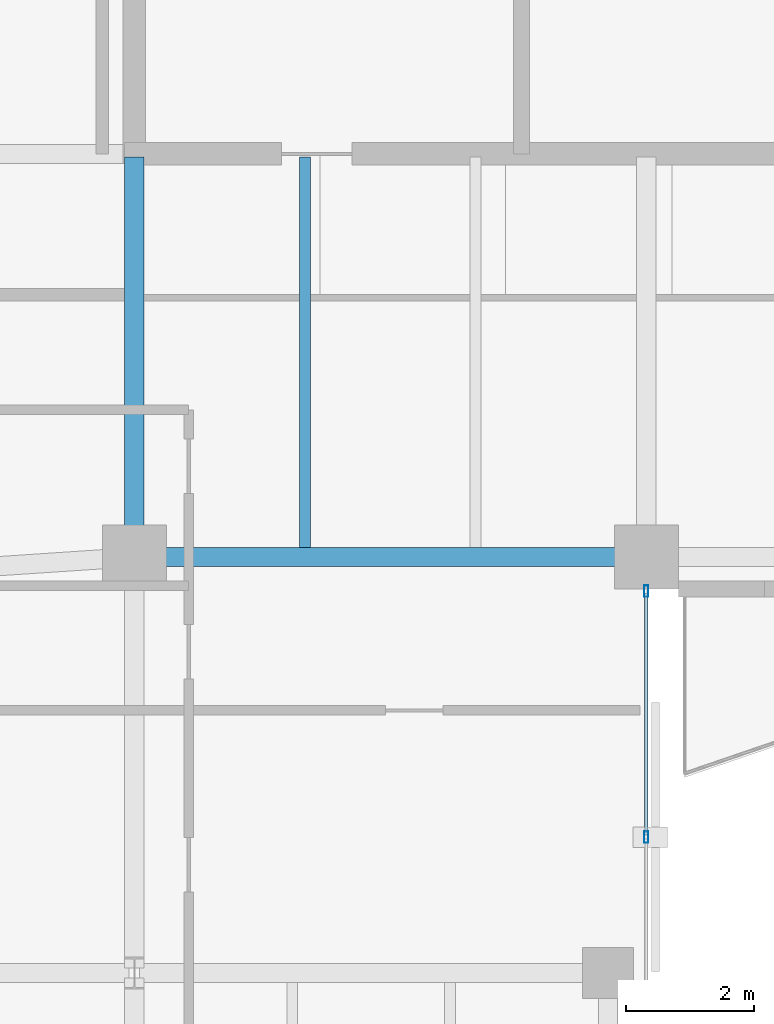
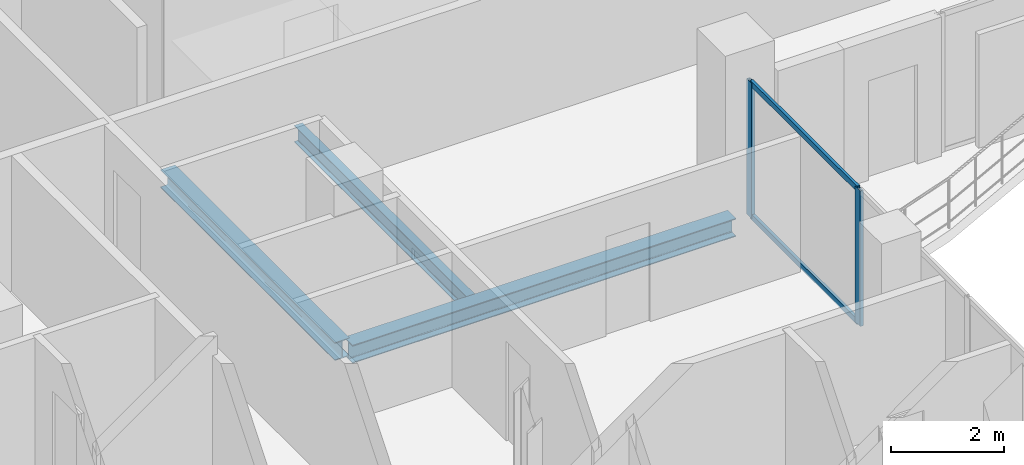
# One storey, part 10 of 23: 4 members, 3 beams, 1 element without a shape of its own.
"""IFC4 building model written with IfcOpenShell, lengths in metres."""

from ifc_helpers import new_model, si_unit, direction, frame, origin, origin_2d, place, context, subcontext, project, spatial, hollow_rectangle, i_section, extrude, material, layer, layer_set, material_profile, profile_set, type_object, element, aggregate, save


model = new_model("IFC4")

# Units and contexts
model_context = context("Model", 3, precision=1e-05, world=origin(), true_north=direction((0.0, 1.0)))
body_context = subcontext(model_context, "Body", "Model", "MODEL_VIEW")
ifc_project = project(units=[si_unit("LENGTHUNIT", "METRE"), si_unit("AREAUNIT", "SQUARE_METRE"), si_unit("VOLUMEUNIT", "CUBIC_METRE"), si_unit("PLANEANGLEUNIT", "RADIAN"), si_unit("MASSUNIT", "GRAM", prefix="KILO")], contexts=[model_context])

# Site, building, storey
site_placement = place(None, origin())
site = spatial("IfcSite", under=ifc_project, at=site_placement, CompositionType="ELEMENT")
building_placement = place(site_placement, origin())
building = spatial("IfcBuilding", under=site, at=building_placement, Name="Catumbela Crestline Tower", CompositionType="ELEMENT")
storey_placement = place(building_placement, frame((0.0, 0.0, 165.0)))
storey = spatial("IfcBuildingStorey", under=building, at=storey_placement, Name="L42", CompositionType="ELEMENT", Elevation=165.0)

# Beams
ifc_material_1 = material(Name="Structural steel S355J2", Category="steel")
ifc_material_profile_1 = material_profile(ifc_material_1, i_section(OverallWidth=0.3, OverallDepth=0.39, WebThickness=0.011, FlangeThickness=0.019, FilletRadius=0.027, at=origin_2d()), Name="HEA 400")
ifc_profile_set_1 = profile_set([ifc_material_profile_1], Name="Structural steel S355J2")
beam_type_1 = type_object("IfcBeamType", Name="BG-HEA400", PredefinedType="BEAM", material=ifc_profile_set_1)
beam_1_placement = place(storey_placement, frame((16.08, 24.5, -0.455), z_axis=(1.0, 0.0, 0.0), x_axis=(0.0, 1.0, 0.0)))
element("IfcBeam", 1, at=beam_1_placement, inside=storey, type_object=beam_type_1, Name="L42 Beam BM-L42-S03", PredefinedType="BEAM", context=body_context, shape_type="SweptSolid", body=[
    extrude(i_section(OverallWidth=0.3, OverallDepth=0.39, WebThickness=0.011, FlangeThickness=0.019, FilletRadius=0.027, at=origin_2d()), origin(), (0.0, 0.0, 1.0), 7.84),
])
beam_2_placement = place(storey_placement, frame((16.0, 24.58, -0.455), z_axis=(0.0, 1.0, 0.0), x_axis=(-1.0, 0.0, 0.0)))
element("IfcBeam", 2, at=beam_2_placement, inside=storey, type_object=beam_type_1, Name="L42 Beam BM-L42-SNS17", PredefinedType="BEAM", context=body_context, shape_type="SweptSolid", body=[
    extrude(i_section(OverallWidth=0.3, OverallDepth=0.39, WebThickness=0.011, FlangeThickness=0.019, FilletRadius=0.027, at=origin_2d()), origin(), (0.0, 0.0, 1.0), 6.17),
])
ifc_material_profile_2 = material_profile(ifc_material_1, i_section(OverallWidth=0.17, OverallDepth=0.36, WebThickness=0.008, FlangeThickness=0.0127, FilletRadius=0.018, at=origin_2d()), Name="IPE 360")
ifc_profile_set_2 = profile_set([ifc_material_profile_2], Name="Structural steel S355J2")
beam_type_2 = type_object("IfcBeamType", Name="BJ-IPE360", PredefinedType="JOIST", material=ifc_profile_set_2)
beam_3_placement = place(storey_placement, frame((18.667, 24.647, -0.44), z_axis=(0.0, 1.0, 0.0), x_axis=(-1.0, 0.0, 0.0)))
element("IfcBeam", 3, at=beam_3_placement, inside=storey, type_object=beam_type_2, Name="L42 Joist JS-L42-SP26", PredefinedType="JOIST", context=body_context, shape_type="SweptSolid", body=[
    extrude(i_section(OverallWidth=0.17, OverallDepth=0.36, WebThickness=0.008, FlangeThickness=0.0127, FilletRadius=0.018, at=origin_2d()), origin(), (0.0, 0.0, 1.0), 6.103),
])

# Curtain wall, members
ifc_material_2 = material(Name="Aluminium alloy AW-6060-T66", Category="aluminium")
ifc_layer = layer(ifc_material_2, 0.18, Name="Aluminium alloy AW-6060-T66")
ifc_layer_set = layer_set([ifc_layer], Name="Aluminium alloy AW-6060-T66")
curtain_wall_type = type_object("IfcCurtainWallType", Name="CWU-Z3", PredefinedType="USERDEFINED", material=ifc_layer_set)
curtain_wall_placement = place(storey_placement, origin())
curtain_wall = element("IfcCurtainWall", 4, at=curtain_wall_placement, inside=storey, type_object=curtain_wall_type, Name="L42 Unitised Curtain Wall CW-L42-E2S1", ObjectType="UNITISED", PredefinedType="USERDEFINED")
ifc_material_profile_3 = material_profile(ifc_material_2, hollow_rectangle(XDim=0.065, YDim=0.18, WallThickness=0.004, at=origin_2d()), Name="ALU 180x65x4")
ifc_profile_set_3 = profile_set([ifc_material_profile_3], Name="Aluminium alloy AW-6060-T66")
member_type_1 = type_object("IfcMemberType", Name="MUL-180X65", PredefinedType="MULLION", material=ifc_profile_set_3)
member_1_placement = place(storey_placement, frame((24.0, 20.125, 0.0), z_axis=(0.0, 0.0, 1.0), x_axis=(-1.0, 0.0, 0.0)))
member_1 = element("IfcMember", 5, at=member_1_placement, type_object=member_type_1, Name="CWU-Z3 mullion 4", PredefinedType="MULLION", context=body_context, shape_type="SweptSolid", body=[
    extrude(hollow_rectangle(XDim=0.065, YDim=0.18, WallThickness=0.004, at=origin_2d()), origin(), (0.0, 0.0, 1.0), 2.93),
])
member_2_placement = place(storey_placement, frame((24.0, 23.9675, 0.0), z_axis=(0.0, 0.0, 1.0), x_axis=(-1.0, 0.0, 0.0)))
member_2 = element("IfcMember", 6, at=member_2_placement, type_object=member_type_1, Name="CWU-Z3 mullion 5", PredefinedType="MULLION", context=body_context, shape_type="SweptSolid", body=[
    extrude(hollow_rectangle(XDim=0.065, YDim=0.18, WallThickness=0.004, at=origin_2d()), origin(), (0.0, 0.0, 1.0), 2.93),
])
ifc_material_profile_4 = material_profile(ifc_material_2, hollow_rectangle(XDim=0.06, YDim=0.12, WallThickness=0.0035, at=origin_2d()), Name="ALU 120x60x3.5")
ifc_profile_set_4 = profile_set([ifc_material_profile_4], Name="Aluminium alloy AW-6060-T66")
member_type_2 = type_object("IfcMemberType", Name="TRN-120X60", PredefinedType="USERDEFINED", material=ifc_profile_set_4)
member_3_placement = place(storey_placement, frame((24.0, 20.1575, 0.03), z_axis=(0.0, 1.0, 0.0), x_axis=(-1.0, 0.0, 0.0)))
member_3 = element("IfcMember", 7, at=member_3_placement, type_object=member_type_2, Name="CWU-Z3 transom 4.1", ObjectType="TRANSOM", PredefinedType="USERDEFINED", context=body_context, shape_type="SweptSolid", body=[
    extrude(hollow_rectangle(XDim=0.06, YDim=0.12, WallThickness=0.0035, at=origin_2d()), origin(), (0.0, 0.0, 1.0), 3.7775),
])
member_4_placement = place(storey_placement, frame((24.0, 20.1575, 2.9), z_axis=(0.0, 1.0, 0.0), x_axis=(-1.0, 0.0, 0.0)))
member_4 = element("IfcMember", 8, at=member_4_placement, type_object=member_type_2, Name="CWU-Z3 transom 4.2", ObjectType="TRANSOM", PredefinedType="USERDEFINED", context=body_context, shape_type="SweptSolid", body=[
    extrude(hollow_rectangle(XDim=0.06, YDim=0.12, WallThickness=0.0035, at=origin_2d()), origin(), (0.0, 0.0, 1.0), 3.7775),
])
aggregate(curtain_wall, [member_1, member_2, member_3, member_4])

save(model, "model.ifc")
